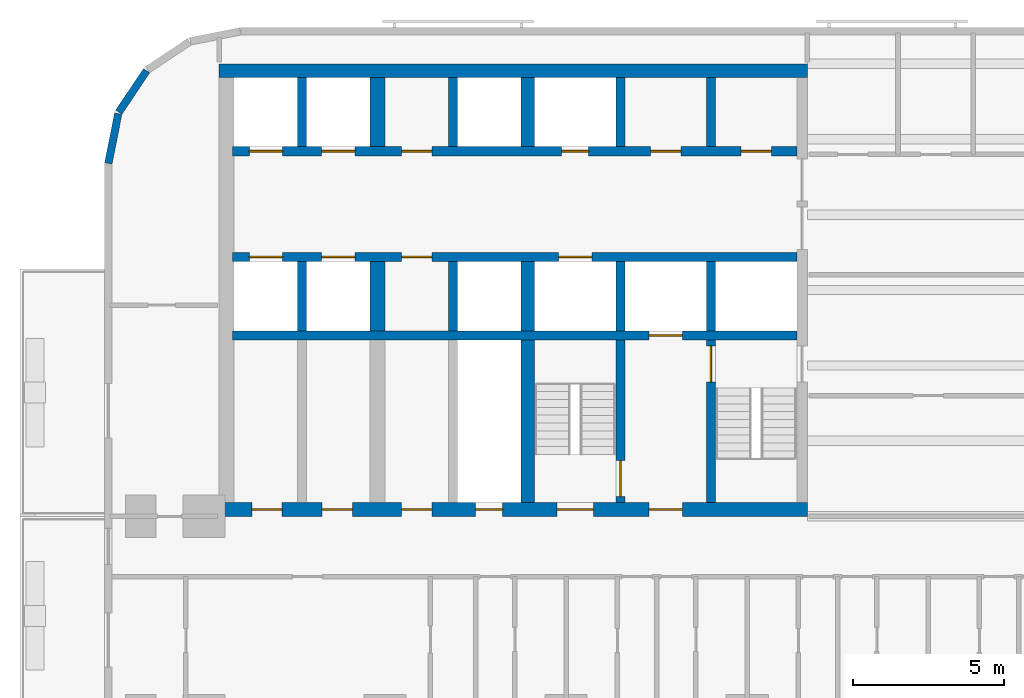
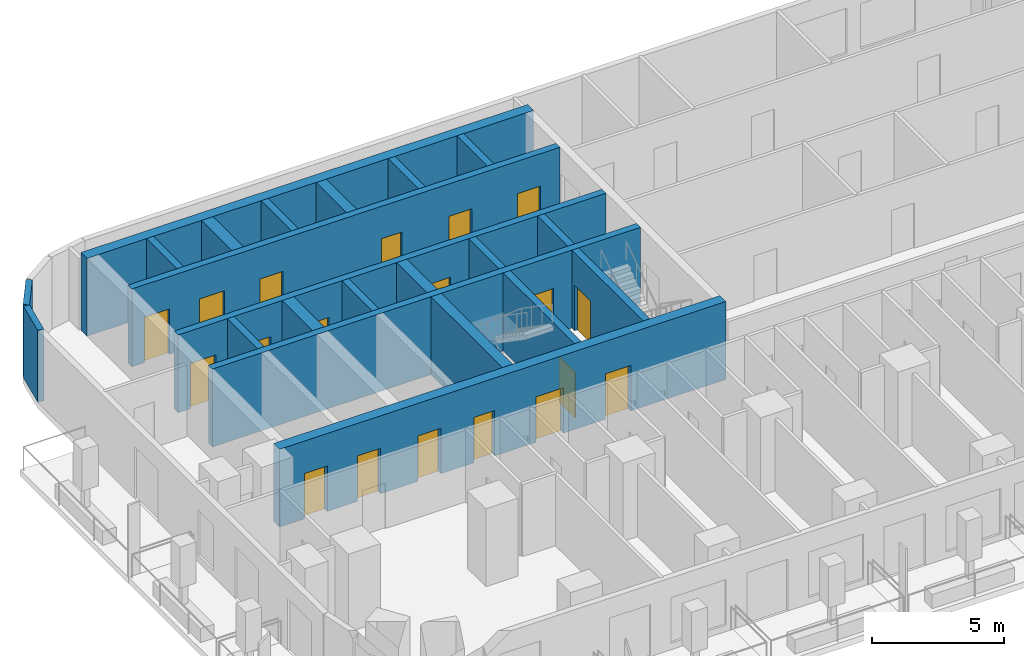
# One storey, part 3 of 13: 22 walls, 19 doors, 19 openings.
"""IFC4 building model written with IfcOpenShell, lengths in metres."""

from ifc_helpers import new_model, si_unit, direction, frame, frame_2d, origin, place, context, subcontext, project, spatial, rectangle, extrude, material, layer, layer_set, type_object, element, fill, save


model = new_model("IFC4")

# Units and contexts
model_context = context("Model", 3, precision=1e-05, world=origin(), true_north=direction((0.0, 1.0)))
body_context = subcontext(model_context, "Body", "Model", "MODEL_VIEW")
ifc_project = project(units=[si_unit("LENGTHUNIT", "METRE"), si_unit("AREAUNIT", "SQUARE_METRE"), si_unit("VOLUMEUNIT", "CUBIC_METRE"), si_unit("PLANEANGLEUNIT", "RADIAN"), si_unit("MASSUNIT", "GRAM", prefix="KILO")], contexts=[model_context])

# Site, building, storey
site_placement = place(None, origin())
site = spatial("IfcSite", under=ifc_project, at=site_placement, CompositionType="ELEMENT")
building_placement = place(site_placement, origin())
building = spatial("IfcBuilding", under=site, at=building_placement, Name="Torana Hotel and Residences", CompositionType="ELEMENT")
storey_placement = place(building_placement, frame((0.0, 0.0, 60.0)))
storey = spatial("IfcBuildingStorey", under=building, at=storey_placement, Name="L14", CompositionType="ELEMENT", Elevation=60.0)

# Wall, openings, doors
ifc_material_1 = material(Name="Concrete C80/95", Category="concrete")
ifc_layer_1 = layer(ifc_material_1, 0.300048828125)
ifc_layer_set_1 = layer_set([ifc_layer_1], Name="CORE WALL 300 C80/95")
wall_type_1 = type_object("IfcWallType", Name="CORE WALL 300 C80/95", PredefinedType="SHEAR", material=ifc_layer_set_1)
wall_1_placement = place(storey_placement, frame((-29.050048828125, -2.89990234375, 0.0), z_axis=(0.0, 0.0, 1.0), x_axis=(1.0, 0.0, 0.0)))
wall_1 = element("IfcWall", 1, at=wall_1_placement, inside=storey, type_object=wall_type_1, Name="Core wall W row-N", PredefinedType="SHEAR", context=body_context, shape_type="SweptSolid", body=[
    extrude(rectangle(XDim=18.699951171875, YDim=0.300048828125, at=frame_2d((9.35009765625, 0.0))), origin(), (0.0, 0.0, 1.0), 3.60009765625),
])
opening_1_placement = place(wall_1_placement, frame((2.949951171875, 0.0, 0.0)))
opening_1 = element("IfcOpeningElement", 2, at=opening_1_placement, cuts=wall_1, Name="Opening LD", PredefinedType="OPENING", context=body_context, shape_type="SweptSolid", body=[
    extrude(rectangle(XDim=1.10009765625, YDim=2.10009765625, at=frame_2d((0.550048828125, 1.050048828125))), frame((0.0, 0.159912109375, 0.0), z_axis=(0.0, -1.0, 0.0), x_axis=(1.0, 0.0, 0.0)), (0.0, 0.0, 1.0), 0.320068359375),
])
opening_2_placement = place(wall_1_placement, frame((0.550048828125, 0.0, 0.0)))
opening_2 = element("IfcOpeningElement", 3, at=opening_2_placement, cuts=wall_1, Name="Opening LD", PredefinedType="OPENING", context=body_context, shape_type="SweptSolid", body=[
    extrude(rectangle(XDim=1.10009765625, YDim=2.10009765625, at=frame_2d((0.550048828125, 1.050048828125))), frame((0.0, 0.159912109375, 0.0), z_axis=(0.0, -1.0, 0.0), x_axis=(1.0, 0.0, 0.0)), (0.0, 0.0, 1.0), 0.320068359375),
])
opening_3_placement = place(wall_1_placement, frame((10.89990234375, 0.0, 0.0)))
opening_3 = element("IfcOpeningElement", 4, at=opening_3_placement, cuts=wall_1, Name="Opening L14-10", PredefinedType="OPENING", context=body_context, shape_type="SweptSolid", body=[
    extrude(rectangle(XDim=0.89990234375, YDim=2.10009765625, at=frame_2d((0.449951171875, 1.050048828125))), frame((0.0, 0.159912109375, 0.0), z_axis=(0.0, -1.0, 0.0), x_axis=(1.0, 0.0, 0.0)), (0.0, 0.0, 1.0), 0.320068359375),
])
opening_4_placement = place(wall_1_placement, frame((16.85009765625, 0.0, 0.0)))
opening_4 = element("IfcOpeningElement", 5, at=opening_4_placement, cuts=wall_1, Name="Opening L14-11", PredefinedType="OPENING", context=body_context, shape_type="SweptSolid", body=[
    extrude(rectangle(XDim=1.0, YDim=2.10009765625, at=frame_2d((0.5, 1.050048828125))), frame((0.0, 0.159912109375, 0.0), z_axis=(0.0, -1.0, 0.0), x_axis=(1.0, 0.0, 0.0)), (0.0, 0.0, 1.0), 0.320068359375),
])
opening_5_placement = place(wall_1_placement, frame((13.85009765625, 0.0, 0.0)))
opening_5 = element("IfcOpeningElement", 6, at=opening_5_placement, cuts=wall_1, Name="Opening L14-12", PredefinedType="OPENING", context=body_context, shape_type="SweptSolid", body=[
    extrude(rectangle(XDim=1.0, YDim=2.10009765625, at=frame_2d((0.5, 1.050048828125))), frame((0.0, 0.159912109375, 0.0), z_axis=(0.0, -1.0, 0.0), x_axis=(1.0, 0.0, 0.0)), (0.0, 0.0, 1.0), 0.320068359375),
])
opening_6_placement = place(wall_1_placement, frame((5.60009765625, 0.0, 0.0)))
opening_6 = element("IfcOpeningElement", 7, at=opening_6_placement, cuts=wall_1, Name="Opening L14-13", PredefinedType="OPENING", context=body_context, shape_type="SweptSolid", body=[
    extrude(rectangle(XDim=1.0, YDim=2.10009765625, at=frame_2d((0.5, 1.050048828125))), frame((0.0, 0.159912109375, 0.0), z_axis=(0.0, -1.0, 0.0), x_axis=(1.0, 0.0, 0.0)), (0.0, 0.0, 1.0), 0.320068359375),
])
ifc_material_2 = material(Name="Steel S235", Category="steel")
door_type_1 = type_object("IfcDoorType", Name="CORE ROOM FIRE DOOR D14 1000x2100", OperationType="SINGLE_SWING_LEFT", PredefinedType="DOOR", material=ifc_material_2)
door_1_placement = place(opening_4_placement, origin())
door_1 = element("IfcDoor", 8, at=door_1_placement, inside=storey, type_object=door_type_1, Name="N0 door L14", OperationType="SINGLE_SWING_RIGHT", OverallHeight=2.10009765625, OverallWidth=1.0, PredefinedType="DOOR", context=body_context, shape_type="SweptSolid", body=[
    extrude(rectangle(XDim=1.0, YDim=2.10009765625, at=frame_2d((0.5, 1.050048828125))), frame((0.0, 0.02490234375, 0.0), z_axis=(0.0, -1.0, 0.0), x_axis=(1.0, 0.0, 0.0)), (0.0, 0.0, 1.0), 0.050048828125),
])
fill(opening_4, door_1)
door_2_placement = place(opening_5_placement, origin())
door_2 = element("IfcDoor", 9, at=door_2_placement, inside=storey, type_object=door_type_1, Name="N1 door L14", OperationType="SINGLE_SWING_RIGHT", OverallHeight=2.10009765625, OverallWidth=1.0, PredefinedType="DOOR", context=body_context, shape_type="SweptSolid", body=[
    extrude(rectangle(XDim=1.0, YDim=2.10009765625, at=frame_2d((0.5, 1.050048828125))), frame((0.0, 0.02490234375, 0.0), z_axis=(0.0, -1.0, 0.0), x_axis=(1.0, 0.0, 0.0)), (0.0, 0.0, 1.0), 0.050048828125),
])
fill(opening_5, door_2)
door_3_placement = place(opening_6_placement, origin())
door_3 = element("IfcDoor", 10, at=door_3_placement, inside=storey, type_object=door_type_1, Name="Free-M1 door L14", OperationType="SINGLE_SWING_RIGHT", OverallHeight=2.10009765625, OverallWidth=1.0, PredefinedType="DOOR", context=body_context, shape_type="SweptSolid", body=[
    extrude(rectangle(XDim=1.0, YDim=2.10009765625, at=frame_2d((0.5, 1.050048828125))), frame((0.0, 0.02490234375, 0.0), z_axis=(0.0, -1.0, 0.0), x_axis=(1.0, 0.0, 0.0)), (0.0, 0.0, 1.0), 0.050048828125),
])
fill(opening_6, door_3)
ifc_material_3 = material(Name="Stainless steel 316", Category="steel")
door_type_2 = type_object("IfcDoorType", Name="LIFT LANDING DOOR LD 1100x2100", OperationType="DOUBLE_DOOR_SLIDING", PredefinedType="USERDEFINED", material=ifc_material_3)
door_4_placement = place(opening_1_placement, origin())
door_4 = element("IfcDoor", 11, at=door_4_placement, inside=storey, type_object=door_type_2, Name="Lift landing door L1 L14", ObjectType="LIFT LANDING DOOR", OperationType="DOUBLE_DOOR_SLIDING", OverallHeight=2.10009765625, OverallWidth=1.10009765625, PredefinedType="USERDEFINED", context=body_context, shape_type="SweptSolid", body=[
    extrude(rectangle(XDim=1.10009765625, YDim=2.10009765625, at=frame_2d((0.550048828125, 1.050048828125))), frame((0.0, 0.02490234375, 0.0), z_axis=(0.0, -1.0, 0.0), x_axis=(1.0, 0.0, 0.0)), (0.0, 0.0, 1.0), 0.050048828125),
])
fill(opening_1, door_4)
door_5_placement = place(opening_2_placement, origin())
door_5 = element("IfcDoor", 12, at=door_5_placement, inside=storey, type_object=door_type_2, Name="Lift landing door L2 L14", ObjectType="LIFT LANDING DOOR", OperationType="DOUBLE_DOOR_SLIDING", OverallHeight=2.10009765625, OverallWidth=1.10009765625, PredefinedType="USERDEFINED", context=body_context, shape_type="SweptSolid", body=[
    extrude(rectangle(XDim=1.10009765625, YDim=2.10009765625, at=frame_2d((0.550048828125, 1.050048828125))), frame((0.0, 0.02490234375, 0.0), z_axis=(0.0, -1.0, 0.0), x_axis=(1.0, 0.0, 0.0)), (0.0, 0.0, 1.0), 0.050048828125),
])
fill(opening_2, door_5)
ifc_material_4 = material(Name="Steel S235", Category="steel")
door_type_3 = type_object("IfcDoorType", Name="RISER ACCESS DOOR D5 900x2100", OperationType="SINGLE_SWING_LEFT", PredefinedType="DOOR", material=ifc_material_4)
door_6_placement = place(opening_3_placement, origin())
door_6 = element("IfcDoor", 13, at=door_6_placement, inside=storey, type_object=door_type_3, Name="N2 door L14", OperationType="SINGLE_SWING_RIGHT", OverallHeight=2.10009765625, OverallWidth=0.89990234375, PredefinedType="DOOR", context=body_context, shape_type="SweptSolid", body=[
    extrude(rectangle(XDim=0.89990234375, YDim=2.10009765625, at=frame_2d((0.449951171875, 1.050048828125))), frame((0.0, 0.02490234375, 0.0), z_axis=(0.0, -1.0, 0.0), x_axis=(1.0, 0.0, 0.0)), (0.0, 0.0, 1.0), 0.050048828125),
])
fill(opening_3, door_6)

wall_2_placement = place(storey_placement, frame((-29.050048828125, -6.39990234375, 0.0), z_axis=(0.0, 0.0, 1.0), x_axis=(1.0, 0.0, 0.0)))
wall_2 = element("IfcWall", 14, at=wall_2_placement, inside=storey, type_object=wall_type_1, Name="Core wall W row-S", PredefinedType="SHEAR", context=body_context, shape_type="SweptSolid", body=[
    extrude(rectangle(XDim=18.699951171875, YDim=0.300048828125, at=frame_2d((9.35009765625, 0.0))), origin(), (0.0, 0.0, 1.0), 3.60009765625),
])
opening_7_placement = place(wall_2_placement, frame((2.949951171875, 0.0, 0.0)))
opening_7 = element("IfcOpeningElement", 15, at=opening_7_placement, cuts=wall_2, Name="Opening LD", PredefinedType="OPENING", context=body_context, shape_type="SweptSolid", body=[
    extrude(rectangle(XDim=1.10009765625, YDim=2.10009765625, at=frame_2d((0.550048828125, 1.050048828125))), frame((0.0, 0.159912109375, 0.0), z_axis=(0.0, -1.0, 0.0), x_axis=(1.0, 0.0, 0.0)), (0.0, 0.0, 1.0), 0.320068359375),
])
opening_8_placement = place(wall_2_placement, frame((0.550048828125, 0.0, 0.0)))
opening_8 = element("IfcOpeningElement", 16, at=opening_8_placement, cuts=wall_2, Name="Opening LD", PredefinedType="OPENING", context=body_context, shape_type="SweptSolid", body=[
    extrude(rectangle(XDim=1.10009765625, YDim=2.10009765625, at=frame_2d((0.550048828125, 1.050048828125))), frame((0.0, 0.159912109375, 0.0), z_axis=(0.0, -1.0, 0.0), x_axis=(1.0, 0.0, 0.0)), (0.0, 0.0, 1.0), 0.320068359375),
])
opening_9_placement = place(wall_2_placement, frame((10.800048828125, 0.0, 0.0)))
opening_9 = element("IfcOpeningElement", 17, at=opening_9_placement, cuts=wall_2, Name="Opening LD", PredefinedType="OPENING", context=body_context, shape_type="SweptSolid", body=[
    extrude(rectangle(XDim=1.10009765625, YDim=2.10009765625, at=frame_2d((0.550048828125, 1.050048828125))), frame((0.0, 0.159912109375, 0.0), z_axis=(0.0, -1.0, 0.0), x_axis=(1.0, 0.0, 0.0)), (0.0, 0.0, 1.0), 0.320068359375),
])
opening_10_placement = place(wall_2_placement, frame((5.60009765625, 0.0, 0.0)))
opening_10 = element("IfcOpeningElement", 18, at=opening_10_placement, cuts=wall_2, Name="Opening L14-14", PredefinedType="OPENING", context=body_context, shape_type="SweptSolid", body=[
    extrude(rectangle(XDim=1.0, YDim=2.10009765625, at=frame_2d((0.5, 1.050048828125))), frame((0.0, 0.159912109375, 0.0), z_axis=(0.0, -1.0, 0.0), x_axis=(1.0, 0.0, 0.0)), (0.0, 0.0, 1.0), 0.320068359375),
])
door_7_placement = place(opening_10_placement, frame((0.5, 0.0, 0.0), z_axis=(0.0, 0.0, 1.0), x_axis=(-1.0, 0.0, 0.0)))
door_7 = element("IfcDoor", 19, at=door_7_placement, inside=storey, type_object=door_type_1, Name="Free-M2 door L14", OperationType="SINGLE_SWING_LEFT", OverallHeight=2.10009765625, OverallWidth=1.0, PredefinedType="DOOR", context=body_context, shape_type="SweptSolid", body=[
    extrude(rectangle(XDim=1.0, YDim=2.10009765625, at=frame_2d((0.0, 1.050048828125))), frame((0.0, -0.02490234375, 0.0), z_axis=(0.0, 1.0, 0.0), x_axis=(-1.0, 0.0, 0.0)), (0.0, 0.0, 1.0), 0.050048828125),
])
fill(opening_10, door_7)
door_8_placement = place(opening_7_placement, origin())
door_8 = element("IfcDoor", 20, at=door_8_placement, inside=storey, type_object=door_type_2, Name="Lift landing door L3 L14", ObjectType="LIFT LANDING DOOR", OperationType="DOUBLE_DOOR_SLIDING", OverallHeight=2.10009765625, OverallWidth=1.10009765625, PredefinedType="USERDEFINED", context=body_context, shape_type="SweptSolid", body=[
    extrude(rectangle(XDim=1.10009765625, YDim=2.10009765625, at=frame_2d((0.550048828125, 1.050048828125))), frame((0.0, 0.02490234375, 0.0), z_axis=(0.0, -1.0, 0.0), x_axis=(1.0, 0.0, 0.0)), (0.0, 0.0, 1.0), 0.050048828125),
])
fill(opening_7, door_8)
door_9_placement = place(opening_8_placement, origin())
door_9 = element("IfcDoor", 21, at=door_9_placement, inside=storey, type_object=door_type_2, Name="Lift landing door L4 L14", ObjectType="LIFT LANDING DOOR", OperationType="DOUBLE_DOOR_SLIDING", OverallHeight=2.10009765625, OverallWidth=1.10009765625, PredefinedType="USERDEFINED", context=body_context, shape_type="SweptSolid", body=[
    extrude(rectangle(XDim=1.10009765625, YDim=2.10009765625, at=frame_2d((0.550048828125, 1.050048828125))), frame((0.0, 0.02490234375, 0.0), z_axis=(0.0, -1.0, 0.0), x_axis=(1.0, 0.0, 0.0)), (0.0, 0.0, 1.0), 0.050048828125),
])
fill(opening_8, door_9)
door_10_placement = place(opening_9_placement, origin())
door_10 = element("IfcDoor", 22, at=door_10_placement, inside=storey, type_object=door_type_2, Name="Lift landing door SV1 L14", ObjectType="LIFT LANDING DOOR", OperationType="DOUBLE_DOOR_SLIDING", OverallHeight=2.10009765625, OverallWidth=1.10009765625, PredefinedType="USERDEFINED", context=body_context, shape_type="SweptSolid", body=[
    extrude(rectangle(XDim=1.10009765625, YDim=2.10009765625, at=frame_2d((0.550048828125, 1.050048828125))), frame((0.0, 0.02490234375, 0.0), z_axis=(0.0, -1.0, 0.0), x_axis=(1.0, 0.0, 0.0)), (0.0, 0.0, 1.0), 0.050048828125),
])
fill(opening_9, door_10)

# Wall, opening, door
wall_3_placement = place(storey_placement, frame((-29.050048828125, -9.0, 0.0), z_axis=(0.0, 0.0, 1.0), x_axis=(1.0, 0.0, 0.0)))
wall_3 = element("IfcWall", 23, at=wall_3_placement, inside=storey, type_object=wall_type_1, Name="Core wall W band", PredefinedType="SHEAR", context=body_context, shape_type="SweptSolid", body=[
    extrude(rectangle(XDim=18.699951171875, YDim=0.300048828125, at=frame_2d((9.35009765625, 0.0))), origin(), (0.0, 0.0, 1.0), 3.60009765625),
])
opening_11_placement = place(wall_3_placement, frame((13.800048828125, 0.0, 0.0)))
opening_11 = element("IfcOpeningElement", 24, at=opening_11_placement, cuts=wall_3, Name="Opening LD", PredefinedType="OPENING", context=body_context, shape_type="SweptSolid", body=[
    extrude(rectangle(XDim=1.10009765625, YDim=2.10009765625, at=frame_2d((0.550048828125, 1.050048828125))), frame((0.0, 0.159912109375, 0.0), z_axis=(0.0, -1.0, 0.0), x_axis=(1.0, 0.0, 0.0)), (0.0, 0.0, 1.0), 0.320068359375),
])
door_11_placement = place(opening_11_placement, origin())
door_11 = element("IfcDoor", 25, at=door_11_placement, inside=storey, type_object=door_type_2, Name="Lift landing door FF1 L14", ObjectType="LIFT LANDING DOOR", OperationType="DOUBLE_DOOR_SLIDING", OverallHeight=2.10009765625, OverallWidth=1.10009765625, PredefinedType="USERDEFINED", context=body_context, shape_type="SweptSolid", body=[
    extrude(rectangle(XDim=1.10009765625, YDim=2.10009765625, at=frame_2d((0.550048828125, 1.050048828125))), frame((0.0, 0.02490234375, 0.0), z_axis=(0.0, -1.0, 0.0), x_axis=(1.0, 0.0, 0.0)), (0.0, 0.0, 1.0), 0.050048828125),
])
fill(opening_11, door_11)

# Walls
for number, where, z_axis, x_axis, name in (
    (26, (-13.199951171875, -2.75, 0.0), (0.0, 0.0, 1.0), (0.0, 1.0, 0.0), "Core wall W x3.05-N"),
    (27, (-13.199951171875, -8.85009765625, 0.0), (0.0, 0.0, 1.0), (0.0, 1.0, 0.0), "Core wall W x3.05-S"),
):
    element("IfcWall", number, at=place(storey_placement, frame(where, z_axis=z_axis, x_axis=x_axis)), inside=storey, type_object=wall_type_1, Name=name, PredefinedType="SHEAR", context=body_context, shape_type="SweptSolid", body=[
        extrude(rectangle(XDim=2.300048828125, YDim=0.300048828125, at=frame_2d((1.14990234375, 0.0))), origin(), (0.0, 0.0, 1.0), 3.60009765625),
    ])

# Wall, opening, door
wall_4_placement = place(storey_placement, frame((-13.199951171875, -14.550048828125, 0.0), z_axis=(0.0, 0.0, 1.0), x_axis=(0.0, 1.0, 0.0)))
wall_4 = element("IfcWall", 28, at=wall_4_placement, inside=storey, type_object=wall_type_1, Name="Core wall W x3.05-band", PredefinedType="SHEAR", context=body_context, shape_type="SweptSolid", body=[
    extrude(rectangle(XDim=5.400146484375, YDim=0.300048828125, at=frame_2d((2.7001953125, 0.0))), origin(), (0.0, 0.0, 1.0), 3.60009765625),
])
opening_12_placement = place(wall_4_placement, frame((4.0, 0.0, 0.0)))
opening_12 = element("IfcOpeningElement", 29, at=opening_12_placement, cuts=wall_4, Name="Opening L14-15", PredefinedType="OPENING", context=body_context, shape_type="SweptSolid", body=[
    extrude(rectangle(XDim=1.199951171875, YDim=2.10009765625, at=frame_2d((0.60009765625, 1.050048828125))), frame((0.0, 0.159912109375, 0.0), z_axis=(0.0, -1.0, 0.0), x_axis=(1.0, 0.0, 0.0)), (0.0, 0.0, 1.0), 0.320068359375),
])
ifc_material_5 = material(Name="Steel S235", Category="steel")
door_type_4 = type_object("IfcDoorType", Name="STAIR FIRE DOOR D3 1200x2100", OperationType="SINGLE_SWING_LEFT", PredefinedType="DOOR", material=ifc_material_5)
door_12_placement = place(opening_12_placement, frame((0.60009765625, 0.0, 0.0), z_axis=(0.0, 0.0, 1.0), x_axis=(-1.0, 0.0, 0.0)))
door_12 = element("IfcDoor", 30, at=door_12_placement, inside=storey, type_object=door_type_4, Name="Stair-A-lobby door L14", OperationType="SINGLE_SWING_RIGHT", OverallHeight=2.10009765625, OverallWidth=1.199951171875, PredefinedType="DOOR", context=body_context, shape_type="SweptSolid", body=[
    extrude(rectangle(XDim=1.199951171875, YDim=2.10009765625, at=frame_2d((0.0, 1.050048828125))), frame((0.0, -0.02490234375, 0.0), z_axis=(0.0, 1.0, 0.0), x_axis=(-1.0, 0.0, 0.0)), (0.0, 0.0, 1.0), 0.050048828125),
])
fill(opening_12, door_12)

# Walls
for number, where, z_axis, x_axis, name in (
    (31, (-16.199951171875, -2.75, 0.0), (0.0, 0.0, 1.0), (0.0, 1.0, 0.0), "Core wall W x6.05-N"),
    (32, (-16.199951171875, -8.85009765625, 0.0), (0.0, 0.0, 1.0), (0.0, 1.0, 0.0), "Core wall W x6.05-S"),
):
    element("IfcWall", number, at=place(storey_placement, frame(where, z_axis=z_axis, x_axis=x_axis)), inside=storey, type_object=wall_type_1, Name=name, PredefinedType="SHEAR", context=body_context, shape_type="SweptSolid", body=[
        extrude(rectangle(XDim=2.300048828125, YDim=0.300048828125, at=frame_2d((1.14990234375, 0.0))), origin(), (0.0, 0.0, 1.0), 3.60009765625),
    ])

# Wall, opening, door
wall_5_placement = place(storey_placement, frame((-16.199951171875, -14.550048828125, 0.0), z_axis=(0.0, 0.0, 1.0), x_axis=(0.0, 1.0, 0.0)))
wall_5 = element("IfcWall", 33, at=wall_5_placement, inside=storey, type_object=wall_type_1, Name="Core wall W x6.05-band", PredefinedType="SHEAR", context=body_context, shape_type="SweptSolid", body=[
    extrude(rectangle(XDim=5.400146484375, YDim=0.300048828125, at=frame_2d((2.7001953125, 0.0))), origin(), (0.0, 0.0, 1.0), 3.60009765625),
])
opening_13_placement = place(wall_5_placement, frame((0.199951171875, 0.0, 0.0)))
opening_13 = element("IfcOpeningElement", 34, at=opening_13_placement, cuts=wall_5, Name="Opening L14-16", PredefinedType="OPENING", context=body_context, shape_type="SweptSolid", body=[
    extrude(rectangle(XDim=1.199951171875, YDim=2.10009765625, at=frame_2d((0.60009765625, 1.050048828125))), frame((0.0, 0.159912109375, 0.0), z_axis=(0.0, -1.0, 0.0), x_axis=(1.0, 0.0, 0.0)), (0.0, 0.0, 1.0), 0.320068359375),
])
door_13_placement = place(opening_13_placement, origin())
door_13 = element("IfcDoor", 35, at=door_13_placement, inside=storey, type_object=door_type_4, Name="Stair-B-lobby door L14", OperationType="SINGLE_SWING_RIGHT", OverallHeight=2.10009765625, OverallWidth=1.199951171875, PredefinedType="DOOR", context=body_context, shape_type="SweptSolid", body=[
    extrude(rectangle(XDim=1.199951171875, YDim=2.10009765625, at=frame_2d((0.60009765625, 1.050048828125))), frame((0.0, 0.02490234375, 0.0), z_axis=(0.0, -1.0, 0.0), x_axis=(1.0, 0.0, 0.0)), (0.0, 0.0, 1.0), 0.050048828125),
])
fill(opening_13, door_13)

# Walls
for number, where, z_axis, x_axis, name in (
    (36, (-21.75, -2.75, 0.0), (0.0, 0.0, 1.0), (0.0, 1.0, 0.0), "Core wall W mm-N"),
    (37, (-21.75, -8.85009765625, 0.0), (0.0, 0.0, 1.0), (0.0, 1.0, 0.0), "Core wall W mm-S"),
    (38, (-26.75, -2.75, 0.0), (0.0, 0.0, 1.0), (0.0, 1.0, 0.0), "Core wall W ll-N"),
    (39, (-26.75, -8.85009765625, 0.0), (0.0, 0.0, 1.0), (0.0, 1.0, 0.0), "Core wall W ll-S"),
):
    element("IfcWall", number, at=place(storey_placement, frame(where, z_axis=z_axis, x_axis=x_axis)), inside=storey, type_object=wall_type_1, Name=name, PredefinedType="SHEAR", context=body_context, shape_type="SweptSolid", body=[
        extrude(rectangle(XDim=2.300048828125, YDim=0.300048828125, at=frame_2d((1.14990234375, 0.0))), origin(), (0.0, 0.0, 1.0), 3.60009765625),
    ])
ifc_material_6 = material(Name="Concrete C80/95", Category="concrete")
ifc_layer_2 = layer(ifc_material_6, 0.449951171875)
ifc_layer_set_2 = layer_set([ifc_layer_2], Name="CORE WALL 450 C80/95")
wall_type_2 = type_object("IfcWallType", Name="CORE WALL 450 C80/95", PredefinedType="SHEAR", material=ifc_layer_set_2)
wall_6_placement = place(storey_placement, frame((-29.5, -0.22509765625, 0.0), z_axis=(0.0, 0.0, 1.0), x_axis=(1.0, 0.0, 0.0)))
element("IfcWall", 40, at=wall_6_placement, inside=storey, type_object=wall_type_2, Name="Core wall W rear", PredefinedType="SHEAR", context=body_context, shape_type="SweptSolid", body=[
    extrude(rectangle(XDim=19.5, YDim=0.449951171875, at=frame_2d((9.75, 0.0))), origin(), (0.0, 0.0, 1.0), 3.60009765625),
])

# Wall, openings, doors
wall_7_placement = place(storey_placement, frame((-29.5, -14.77490234375, 0.0), z_axis=(0.0, 0.0, 1.0), x_axis=(1.0, 0.0, 0.0)))
wall_7 = element("IfcWall", 41, at=wall_7_placement, inside=storey, type_object=wall_type_2, Name="Core wall W front", PredefinedType="SHEAR", context=body_context, shape_type="SweptSolid", body=[
    extrude(rectangle(XDim=19.5, YDim=0.449951171875, at=frame_2d((9.75, 0.0))), origin(), (0.0, 0.0, 1.0), 3.60009765625),
])
opening_14_placement = place(wall_7_placement, frame((11.199951171875, 0.0, 0.0)))
opening_14 = element("IfcOpeningElement", 42, at=opening_14_placement, cuts=wall_7, Name="Opening L14-04", PredefinedType="OPENING", context=body_context, shape_type="SweptSolid", body=[
    extrude(rectangle(XDim=1.199951171875, YDim=2.10009765625, at=frame_2d((0.60009765625, 1.050048828125))), frame((0.0, 0.23486328125, 0.0), z_axis=(0.0, -1.0, 0.0), x_axis=(1.0, 0.0, 0.0)), (0.0, 0.0, 1.0), 0.469970703125),
])
opening_15_placement = place(wall_7_placement, frame((14.25, 0.0, 0.0)))
opening_15 = element("IfcOpeningElement", 43, at=opening_15_placement, cuts=wall_7, Name="Opening L14-05", PredefinedType="OPENING", context=body_context, shape_type="SweptSolid", body=[
    extrude(rectangle(XDim=1.10009765625, YDim=2.10009765625, at=frame_2d((0.550048828125, 1.050048828125))), frame((0.0, 0.23486328125, 0.0), z_axis=(0.0, -1.0, 0.0), x_axis=(1.0, 0.0, 0.0)), (0.0, 0.0, 1.0), 0.469970703125),
])
opening_16_placement = place(wall_7_placement, frame((8.5, 0.0, 0.0)))
opening_16 = element("IfcOpeningElement", 44, at=opening_16_placement, cuts=wall_7, Name="Opening L14-06", PredefinedType="OPENING", context=body_context, shape_type="SweptSolid", body=[
    extrude(rectangle(XDim=0.89990234375, YDim=2.10009765625, at=frame_2d((0.449951171875, 1.050048828125))), frame((0.0, 0.23486328125, 0.0), z_axis=(0.0, -1.0, 0.0), x_axis=(1.0, 0.0, 0.0)), (0.0, 0.0, 1.0), 0.469970703125),
])
opening_17_placement = place(wall_7_placement, frame((6.050048828125, 0.0, 0.0)))
opening_17 = element("IfcOpeningElement", 45, at=opening_17_placement, cuts=wall_7, Name="Opening L14-07", PredefinedType="OPENING", context=body_context, shape_type="SweptSolid", body=[
    extrude(rectangle(XDim=1.0, YDim=2.10009765625, at=frame_2d((0.5, 1.050048828125))), frame((0.0, 0.23486328125, 0.0), z_axis=(0.0, -1.0, 0.0), x_axis=(1.0, 0.0, 0.0)), (0.0, 0.0, 1.0), 0.469970703125),
])
opening_18_placement = place(wall_7_placement, frame((3.41259765625, 0.0, 0.0)))
opening_18 = element("IfcOpeningElement", 46, at=opening_18_placement, cuts=wall_7, Name="Opening L14-08", PredefinedType="OPENING", context=body_context, shape_type="SweptSolid", body=[
    extrude(rectangle(XDim=1.0, YDim=2.10009765625, at=frame_2d((0.5, 1.050048828125))), frame((0.0, 0.23486328125, 0.0), z_axis=(0.0, -1.0, 0.0), x_axis=(1.0, 0.0, 0.0)), (0.0, 0.0, 1.0), 0.469970703125),
])
opening_19_placement = place(wall_7_placement, frame((1.08740234375, 0.0, 0.0)))
opening_19 = element("IfcOpeningElement", 47, at=opening_19_placement, cuts=wall_7, Name="Opening L14-09", PredefinedType="OPENING", context=body_context, shape_type="SweptSolid", body=[
    extrude(rectangle(XDim=1.0, YDim=2.10009765625, at=frame_2d((0.5, 1.050048828125))), frame((0.0, 0.23486328125, 0.0), z_axis=(0.0, -1.0, 0.0), x_axis=(1.0, 0.0, 0.0)), (0.0, 0.0, 1.0), 0.469970703125),
])
door_14_placement = place(opening_17_placement, origin())
door_14 = element("IfcDoor", 48, at=door_14_placement, inside=storey, type_object=door_type_1, Name="M-Room door L14", OperationType="SINGLE_SWING_RIGHT", OverallHeight=2.10009765625, OverallWidth=1.0, PredefinedType="DOOR", context=body_context, shape_type="SweptSolid", body=[
    extrude(rectangle(XDim=1.0, YDim=2.10009765625, at=frame_2d((0.5, 1.050048828125))), frame((0.0, 0.02490234375, 0.0), z_axis=(0.0, -1.0, 0.0), x_axis=(1.0, 0.0, 0.0)), (0.0, 0.0, 1.0), 0.050048828125),
])
fill(opening_17, door_14)
door_15_placement = place(opening_18_placement, origin())
door_15 = element("IfcDoor", 49, at=door_15_placement, inside=storey, type_object=door_type_1, Name="L-A door L14", OperationType="SINGLE_SWING_RIGHT", OverallHeight=2.10009765625, OverallWidth=1.0, PredefinedType="DOOR", context=body_context, shape_type="SweptSolid", body=[
    extrude(rectangle(XDim=1.0, YDim=2.10009765625, at=frame_2d((0.5, 1.050048828125))), frame((0.0, 0.02490234375, 0.0), z_axis=(0.0, -1.0, 0.0), x_axis=(1.0, 0.0, 0.0)), (0.0, 0.0, 1.0), 0.050048828125),
])
fill(opening_18, door_15)
door_16_placement = place(opening_19_placement, origin())
door_16 = element("IfcDoor", 50, at=door_16_placement, inside=storey, type_object=door_type_1, Name="L-B door L14", OperationType="SINGLE_SWING_RIGHT", OverallHeight=2.10009765625, OverallWidth=1.0, PredefinedType="DOOR", context=body_context, shape_type="SweptSolid", body=[
    extrude(rectangle(XDim=1.0, YDim=2.10009765625, at=frame_2d((0.5, 1.050048828125))), frame((0.0, 0.02490234375, 0.0), z_axis=(0.0, -1.0, 0.0), x_axis=(1.0, 0.0, 0.0)), (0.0, 0.0, 1.0), 0.050048828125),
])
fill(opening_19, door_16)
ifc_material_7 = material(Name="Steel S235", Category="steel")
door_type_5 = type_object("IfcDoorType", Name="FIRE-FIGHTING LOBBY DOOR D8 1100x2100", OperationType="SINGLE_SWING_LEFT", PredefinedType="DOOR", material=ifc_material_7)
door_17_placement = place(opening_15_placement, origin())
door_17 = element("IfcDoor", 51, at=door_17_placement, inside=storey, type_object=door_type_5, Name="FF-lobby door L14", OperationType="SINGLE_SWING_RIGHT", OverallHeight=2.10009765625, OverallWidth=1.10009765625, PredefinedType="DOOR", context=body_context, shape_type="SweptSolid", body=[
    extrude(rectangle(XDim=1.10009765625, YDim=2.10009765625, at=frame_2d((0.550048828125, 1.050048828125))), frame((0.0, 0.02490234375, 0.0), z_axis=(0.0, -1.0, 0.0), x_axis=(1.0, 0.0, 0.0)), (0.0, 0.0, 1.0), 0.050048828125),
])
fill(opening_15, door_17)
door_18_placement = place(opening_16_placement, origin())
door_18 = element("IfcDoor", 52, at=door_18_placement, inside=storey, type_object=door_type_3, Name="M-Riser door L14", OperationType="SINGLE_SWING_RIGHT", OverallHeight=2.10009765625, OverallWidth=0.89990234375, PredefinedType="DOOR", context=body_context, shape_type="SweptSolid", body=[
    extrude(rectangle(XDim=0.89990234375, YDim=2.10009765625, at=frame_2d((0.449951171875, 1.050048828125))), frame((0.0, 0.02490234375, 0.0), z_axis=(0.0, -1.0, 0.0), x_axis=(1.0, 0.0, 0.0)), (0.0, 0.0, 1.0), 0.050048828125),
])
fill(opening_16, door_18)
door_19_placement = place(opening_14_placement, origin())
door_19 = element("IfcDoor", 53, at=door_19_placement, inside=storey, type_object=door_type_4, Name="Stair-B door L14", OperationType="SINGLE_SWING_RIGHT", OverallHeight=2.10009765625, OverallWidth=1.199951171875, PredefinedType="DOOR", context=body_context, shape_type="SweptSolid", body=[
    extrude(rectangle(XDim=1.199951171875, YDim=2.10009765625, at=frame_2d((0.60009765625, 1.050048828125))), frame((0.0, 0.02490234375, 0.0), z_axis=(0.0, -1.0, 0.0), x_axis=(1.0, 0.0, 0.0)), (0.0, 0.0, 1.0), 0.050048828125),
])
fill(opening_14, door_19)

# Walls
for number, where, z_axis, x_axis, name in (
    (54, (-19.27490234375, -2.75, 0.0), (0.0, 0.0, 1.0), (0.0, 1.0, 0.0), "Core wall W hm-N"),
    (55, (-19.27490234375, -8.85009765625, 0.0), (0.0, 0.0, 1.0), (0.0, 1.0, 0.0), "Core wall W hm-S"),
):
    element("IfcWall", number, at=place(storey_placement, frame(where, z_axis=z_axis, x_axis=x_axis)), inside=storey, type_object=wall_type_2, Name=name, PredefinedType="SHEAR", context=body_context, shape_type="SweptSolid", body=[
        extrude(rectangle(XDim=2.300048828125, YDim=0.449951171875, at=frame_2d((1.14990234375, 0.0))), origin(), (0.0, 0.0, 1.0), 3.60009765625),
    ])
wall_8_placement = place(storey_placement, frame((-19.27490234375, -14.550048828125, 0.0), z_axis=(0.0, 0.0, 1.0), x_axis=(0.0, 1.0, 0.0)))
element("IfcWall", 56, at=wall_8_placement, inside=storey, type_object=wall_type_2, Name="Core wall W hm-band", PredefinedType="SHEAR", context=body_context, shape_type="SweptSolid", body=[
    extrude(rectangle(XDim=5.400146484375, YDim=0.449951171875, at=frame_2d((2.7001953125, 0.0))), origin(), (0.0, 0.0, 1.0), 3.60009765625),
])
ifc_material_8 = material(Name="Concrete C80/95", Category="concrete")
ifc_layer_3 = layer(ifc_material_8, 0.5)
ifc_layer_set_3 = layer_set([ifc_layer_3], Name="CORE WALL 500 C80/95")
wall_type_3 = type_object("IfcWallType", Name="CORE WALL 500 C80/95", PredefinedType="SHEAR", material=ifc_layer_set_3)
for number, where, z_axis, x_axis, name in (
    (57, (-24.25, -2.75, 0.0), (0.0, 0.0, 1.0), (0.0, 1.0, 0.0), "Core wall W ml-N"),
    (58, (-24.25, -8.85009765625, 0.0), (0.0, 0.0, 1.0), (0.0, 1.0, 0.0), "Core wall W ml-S"),
):
    element("IfcWall", number, at=place(storey_placement, frame(where, z_axis=z_axis, x_axis=x_axis)), inside=storey, type_object=wall_type_3, Name=name, PredefinedType="SHEAR", context=body_context, shape_type="SweptSolid", body=[
        extrude(rectangle(XDim=2.300048828125, YDim=0.5, at=frame_2d((1.14990234375, 0.0))), origin(), (0.0, 0.0, 1.0), 3.60009765625),
    ])
ifc_material_9 = material(Name="Black aluminium composite panel", Category="aluminium")
ifc_layer_4 = layer(ifc_material_9, 0.00390625, Name="Cladding", Category="cladding")
ifc_material_10 = material(Name="Ventilated air cavity")
ifc_layer_5 = layer(ifc_material_10, 0.0400390625, Name="Ventilated cavity", Category="cavity")
ifc_material_11 = material(Name="Mineral wool insulation")
ifc_layer_6 = layer(ifc_material_11, 0.090087890625, Name="Insulation", Category="insulation")
ifc_material_12 = material(Name="Steel S280GD", Category="steel")
ifc_layer_7 = layer(ifc_material_12, 0.092041015625, Name="Steel stud frame", Category="structure")
ifc_material_13 = material(Name="Fire rated plasterboard")
ifc_layer_8 = layer(ifc_material_13, 0.011962890625, Name="Inner board", Category="finish")
ifc_layer_9 = layer(ifc_material_13, 0.011962890625, Name="Second board", Category="finish")
ifc_layer_set_4 = layer_set([ifc_layer_4, ifc_layer_5, ifc_layer_6, ifc_layer_7, ifc_layer_8, ifc_layer_9], Name="EW1 EXTERNAL WALL BLACK METAL CLAD 250")
wall_type_4 = type_object("IfcWallType", Name="EW1 EXTERNAL WALL BLACK METAL CLAD 250", PredefinedType="SOLIDWALL", material=ifc_layer_set_4)
wall_9_placement = place(storey_placement, frame((-31.90576171875, -0.228759765625, 0.0), z_axis=(0.0, 0.0, 1.0), x_axis=(-0.55555029066, -0.831482937015, 0.0)))
element("IfcWall", 59, at=wall_9_placement, inside=storey, type_object=wall_type_4, Name="External wall L14 e0.7", PredefinedType="SOLIDWALL", context=body_context, shape_type="SweptSolid", body=[
    extrude(rectangle(XDim=1.65625, YDim=0.25, at=frame_2d((0.828125, 0.0))), origin(), (0.0, 0.0, 1.0), 3.320068359375),
])
wall_10_placement = place(storey_placement, frame((-32.844482421875, -1.651123046875, 0.0), z_axis=(0.0, 0.0, 1.0), x_axis=(-0.19513878023, -0.980775640221, 0.0)))
element("IfcWall", 60, at=wall_10_placement, inside=storey, type_object=wall_type_4, Name="External wall L14 e0.8", PredefinedType="SOLIDWALL", context=body_context, shape_type="SweptSolid", body=[
    extrude(rectangle(XDim=1.681396484375, YDim=0.25, at=frame_2d((0.8408203125, 0.0))), origin(), (0.0, 0.0, 1.0), 3.320068359375),
])

save(model, "model.ifc")
